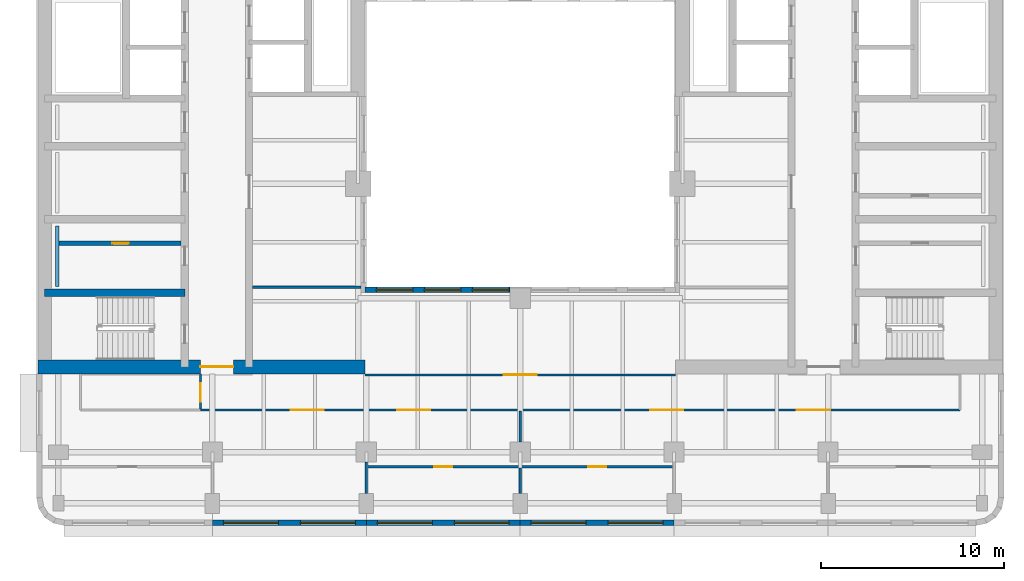
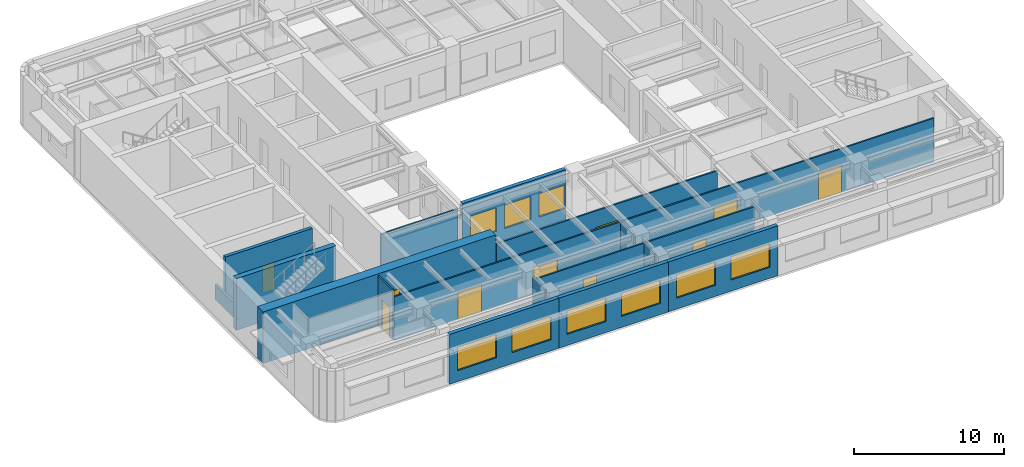
# One storey, part 3 of 11: 16 walls, 10 doors, 9 windows, 19 openings.
"""IFC4 building model written with IfcOpenShell, lengths in metres."""

from ifc_helpers import new_model, si_unit, direction, frame, frame_2d, origin, place, context, subcontext, project, spatial, rectangle, extrude, material, layer, layer_set, type_object, element, fill, save


model = new_model("IFC4")

# Units and contexts
model_context = context("Model", 3, precision=1e-05, world=origin(), true_north=direction((0.0, 1.0)))
body_context = subcontext(model_context, "Body", "Model", "MODEL_VIEW")
ifc_project = project(units=[si_unit("LENGTHUNIT", "METRE"), si_unit("AREAUNIT", "SQUARE_METRE"), si_unit("VOLUMEUNIT", "CUBIC_METRE"), si_unit("PLANEANGLEUNIT", "RADIAN"), si_unit("MASSUNIT", "GRAM", prefix="KILO")], contexts=[model_context])

# Site, building, storey
site_placement = place(None, origin())
site = spatial("IfcSite", under=ifc_project, at=site_placement, CompositionType="ELEMENT")
building_placement = place(site_placement, origin())
building = spatial("IfcBuilding", under=site, at=building_placement, Name="Claustro Exchange Tower", CompositionType="ELEMENT")
storey_placement = place(building_placement, frame((0.0, 0.0, 194.39990234375)))
storey = spatial("IfcBuildingStorey", under=building, at=storey_placement, Name="L44", CompositionType="ELEMENT", Elevation=194.39990234375)

# Wall
ifc_material_1 = material(Name="Laminated glass in aluminium frame", Category="aluminium")
ifc_layer_1 = layer(ifc_material_1, 0.1201171875)
ifc_layer_set_1 = layer_set([ifc_layer_1], Name="Laminated glass in aluminium frame")
wall_type_1 = type_object("IfcWallType", Name="P2 120 glazed partition", PredefinedType="PARTITIONING", material=ifc_layer_set_1)
wall_1_placement = place(storey_placement, frame((10.597900390625, 17.39990234375, 0.0), z_axis=(0.0, 0.0, 1.0), x_axis=(1.0, 0.0, 0.0)))
element("IfcWall", 1, at=wall_1_placement, inside=storey, type_object=wall_type_1, Name="Partition P2 L44", PredefinedType="PARTITIONING", context=body_context, shape_type="SweptSolid", body=[
    extrude(rectangle(XDim=5.904052734375, YDim=0.1201171875, at=frame_2d((2.9521484375, 0.0))), origin(), (0.0, 0.0, 1.0), 3.550048828125),
])

# Wall, openings, doors
wall_2_placement = place(storey_placement, frame((16.800048828125, 7.60009765625, 0.0), z_axis=(0.0, 0.0, 1.0), x_axis=(1.0, 0.0, 0.0)))
wall_2 = element("IfcWall", 2, at=wall_2_placement, inside=storey, type_object=wall_type_1, Name="Partition P2 L44", PredefinedType="PARTITIONING", context=body_context, shape_type="SweptSolid", body=[
    extrude(rectangle(XDim=16.800048828125, YDim=0.1201171875, at=frame_2d((8.39990234375, 0.0))), origin(), (0.0, 0.0, 1.0), 3.690185546875),
])
opening_1_placement = place(wall_2_placement, frame((3.699951171875, 0.0, 0.0)))
opening_1 = element("IfcOpeningElement", 3, at=opening_1_placement, cuts=wall_2, Name="Opening D7", PredefinedType="OPENING", context=body_context, shape_type="SweptSolid", body=[
    extrude(rectangle(XDim=1.0, YDim=2.39990234375, at=frame_2d((0.5, 1.199951171875))), frame((0.0, 0.070068359375, 0.0), z_axis=(0.0, -1.0, 0.0), x_axis=(1.0, 0.0, 0.0)), (0.0, 0.0, 1.0), 0.14013671875),
])
opening_2_placement = place(wall_2_placement, frame((12.10009765625, 0.0, 0.0)))
opening_2 = element("IfcOpeningElement", 4, at=opening_2_placement, cuts=wall_2, Name="Opening D7", PredefinedType="OPENING", context=body_context, shape_type="SweptSolid", body=[
    extrude(rectangle(XDim=1.0, YDim=2.39990234375, at=frame_2d((0.5, 1.199951171875))), frame((0.0, 0.070068359375, 0.0), z_axis=(0.0, -1.0, 0.0), x_axis=(1.0, 0.0, 0.0)), (0.0, 0.0, 1.0), 0.14013671875),
])
ifc_material_2 = material(Name="Glass door in aluminium frame", Category="aluminium")
door_type_1 = type_object("IfcDoorType", Name="D7 1000 x 2400 glazed door", OperationType="SINGLE_SWING_LEFT", PredefinedType="DOOR", material=ifc_material_2)
door_1_placement = place(opening_1_placement, frame((1.0, 0.0, 0.0), z_axis=(0.0, 0.0, 1.0), x_axis=(-1.0, 0.0, 0.0)))
door_1 = element("IfcDoor", 5, at=door_1_placement, inside=storey, type_object=door_type_1, Name="Door D7 L44", OperationType="SINGLE_SWING_LEFT", OverallHeight=2.39990234375, OverallWidth=1.0, PredefinedType="DOOR", context=body_context, shape_type="SweptSolid", body=[
    extrude(rectangle(XDim=1.0, YDim=2.39990234375, at=frame_2d((0.5, 1.199951171875))), frame((0.0, 0.02490234375, 0.0), z_axis=(0.0, -1.0, 0.0), x_axis=(1.0, 0.0, 0.0)), (0.0, 0.0, 1.0), 0.050048828125),
])
fill(opening_1, door_1)
door_2_placement = place(opening_2_placement, frame((1.0, 0.0, 0.0), z_axis=(0.0, 0.0, 1.0), x_axis=(-1.0, 0.0, 0.0)))
door_2 = element("IfcDoor", 6, at=door_2_placement, inside=storey, type_object=door_type_1, Name="Door D7 L44", OperationType="SINGLE_SWING_RIGHT", OverallHeight=2.39990234375, OverallWidth=1.0, PredefinedType="DOOR", context=body_context, shape_type="SweptSolid", body=[
    extrude(rectangle(XDim=1.0, YDim=2.39990234375, at=frame_2d((0.5, 1.199951171875))), frame((0.0, 0.02490234375, 0.0), z_axis=(0.0, -1.0, 0.0), x_axis=(1.0, 0.0, 0.0)), (0.0, 0.0, 1.0), 0.050048828125),
])
fill(opening_2, door_2)

# Walls
wall_3_placement = place(storey_placement, frame((16.800048828125, 6.14892578125, 0.0), z_axis=(0.0, 0.0, 1.0), x_axis=(0.0, 1.0, 0.0)))
element("IfcWall", 7, at=wall_3_placement, inside=storey, type_object=wall_type_1, Name="Partition P2 L44", PredefinedType="PARTITIONING", context=body_context, shape_type="SweptSolid", body=[
    extrude(rectangle(XDim=1.703125, YDim=0.1201171875, at=frame_2d((0.8515625, 0.0))), origin(), (0.0, 0.0, 1.0), 3.690185546875),
])
wall_4_placement = place(storey_placement, frame((25.199951171875, 6.14892578125, 0.0), z_axis=(0.0, 0.0, 1.0), x_axis=(0.0, 1.0, 0.0)))
element("IfcWall", 8, at=wall_4_placement, inside=storey, type_object=wall_type_1, Name="Partition P2 L44", PredefinedType="PARTITIONING", context=body_context, shape_type="SweptSolid", body=[
    extrude(rectangle(XDim=1.39306640625, YDim=0.1201171875, at=frame_2d((0.696533203125, 0.0))), origin(), (0.0, 0.0, 1.0), 3.690185546875),
])
wall_5_placement = place(storey_placement, frame((25.199951171875, 8.948974609375, 0.0), z_axis=(0.0, 0.0, 1.0), x_axis=(0.0, 1.0, 0.0)))
element("IfcWall", 9, at=wall_5_placement, inside=storey, type_object=wall_type_1, Name="Partition P2 L44", PredefinedType="PARTITIONING", context=body_context, shape_type="SweptSolid", body=[
    extrude(rectangle(XDim=1.693115234375, YDim=0.1201171875, at=frame_2d((0.8466796875, 0.0))), origin(), (0.0, 0.0, 1.0), 3.550048828125),
])

# Wall, openings, doors
wall_6_placement = place(storey_placement, frame((7.748046875, 10.699951171875, 0.0), z_axis=(0.0, 0.0, 1.0), x_axis=(1.0, 0.0, 0.0)))
wall_6 = element("IfcWall", 10, at=wall_6_placement, inside=storey, type_object=wall_type_1, Name="Partition P2 L44", PredefinedType="PARTITIONING", context=body_context, shape_type="SweptSolid", body=[
    extrude(rectangle(XDim=41.451904296875, YDim=0.1201171875, at=frame_2d((20.72607421875, 0.0))), origin(), (0.0, 0.0, 1.0), 3.550048828125),
])
opening_3_placement = place(wall_6_placement, frame((4.918701171875, 0.0, 0.0)))
opening_3 = element("IfcOpeningElement", 11, at=opening_3_placement, cuts=wall_6, Name="Opening D2", PredefinedType="OPENING", context=body_context, shape_type="SweptSolid", body=[
    extrude(rectangle(XDim=1.800048828125, YDim=2.199951171875, at=frame_2d((0.89990234375, 1.10009765625))), frame((0.0, 0.070068359375, 0.0), z_axis=(0.0, -1.0, 0.0), x_axis=(1.0, 0.0, 0.0)), (0.0, 0.0, 1.0), 0.14013671875),
])
opening_4_placement = place(wall_6_placement, frame((10.7353515625, 0.0, 0.0)))
opening_4 = element("IfcOpeningElement", 12, at=opening_4_placement, cuts=wall_6, Name="Opening D2", PredefinedType="OPENING", context=body_context, shape_type="SweptSolid", body=[
    extrude(rectangle(XDim=1.800048828125, YDim=2.199951171875, at=frame_2d((0.89990234375, 1.10009765625))), frame((0.0, 0.070068359375, 0.0), z_axis=(0.0, -1.0, 0.0), x_axis=(1.0, 0.0, 0.0)), (0.0, 0.0, 1.0), 0.14013671875),
])
opening_5_placement = place(wall_6_placement, frame((24.552001953125, 0.0, 0.0)))
opening_5 = element("IfcOpeningElement", 13, at=opening_5_placement, cuts=wall_6, Name="Opening D2", PredefinedType="OPENING", context=body_context, shape_type="SweptSolid", body=[
    extrude(rectangle(XDim=1.800048828125, YDim=2.199951171875, at=frame_2d((0.89990234375, 1.10009765625))), frame((0.0, 0.070068359375, 0.0), z_axis=(0.0, -1.0, 0.0), x_axis=(1.0, 0.0, 0.0)), (0.0, 0.0, 1.0), 0.14013671875),
])
opening_6_placement = place(wall_6_placement, frame((32.552001953125, 0.0, 0.0)))
opening_6 = element("IfcOpeningElement", 14, at=opening_6_placement, cuts=wall_6, Name="Opening D2", PredefinedType="OPENING", context=body_context, shape_type="SweptSolid", body=[
    extrude(rectangle(XDim=1.800048828125, YDim=2.199951171875, at=frame_2d((0.89990234375, 1.10009765625))), frame((0.0, 0.070068359375, 0.0), z_axis=(0.0, -1.0, 0.0), x_axis=(1.0, 0.0, 0.0)), (0.0, 0.0, 1.0), 0.14013671875),
])
ifc_material_3 = material(Name="Timber door, oak veneer", Category="wood")
door_type_2 = type_object("IfcDoorType", Name="D2 1800 x 2200 double door", OperationType="DOUBLE_DOOR_SINGLE_SWING", PredefinedType="DOOR", material=ifc_material_3)
door_3_placement = place(opening_3_placement, frame((1.800048828125, 0.0, 0.0), z_axis=(0.0, 0.0, 1.0), x_axis=(-1.0, 0.0, 0.0)))
door_3 = element("IfcDoor", 15, at=door_3_placement, inside=storey, type_object=door_type_2, Name="Double door D2 L44", OperationType="DOUBLE_DOOR_SINGLE_SWING", OverallHeight=2.199951171875, OverallWidth=1.800048828125, PredefinedType="DOOR", context=body_context, shape_type="SweptSolid", body=[
    extrude(rectangle(XDim=1.800048828125, YDim=2.199951171875, at=frame_2d((0.89990234375, 1.10009765625))), frame((0.0, 0.02490234375, 0.0), z_axis=(0.0, -1.0, 0.0), x_axis=(1.0, 0.0, 0.0)), (0.0, 0.0, 1.0), 0.050048828125),
])
fill(opening_3, door_3)
door_4_placement = place(opening_4_placement, frame((1.800048828125, 0.0, 0.0), z_axis=(0.0, 0.0, 1.0), x_axis=(-1.0, 0.0, 0.0)))
door_4 = element("IfcDoor", 16, at=door_4_placement, inside=storey, type_object=door_type_2, Name="Double door D2 L44", OperationType="DOUBLE_DOOR_SINGLE_SWING", OverallHeight=2.199951171875, OverallWidth=1.800048828125, PredefinedType="DOOR", context=body_context, shape_type="SweptSolid", body=[
    extrude(rectangle(XDim=1.800048828125, YDim=2.199951171875, at=frame_2d((0.89990234375, 1.10009765625))), frame((0.0, 0.02490234375, 0.0), z_axis=(0.0, -1.0, 0.0), x_axis=(1.0, 0.0, 0.0)), (0.0, 0.0, 1.0), 0.050048828125),
])
fill(opening_4, door_4)
door_5_placement = place(opening_5_placement, frame((1.800048828125, 0.0, 0.0), z_axis=(0.0, 0.0, 1.0), x_axis=(-1.0, 0.0, 0.0)))
door_5 = element("IfcDoor", 17, at=door_5_placement, inside=storey, type_object=door_type_2, Name="Double door D2 L44", OperationType="DOUBLE_DOOR_SINGLE_SWING", OverallHeight=2.199951171875, OverallWidth=1.800048828125, PredefinedType="DOOR", context=body_context, shape_type="SweptSolid", body=[
    extrude(rectangle(XDim=1.800048828125, YDim=2.199951171875, at=frame_2d((0.89990234375, 1.10009765625))), frame((0.0, 0.02490234375, 0.0), z_axis=(0.0, -1.0, 0.0), x_axis=(1.0, 0.0, 0.0)), (0.0, 0.0, 1.0), 0.050048828125),
])
fill(opening_5, door_5)
door_6_placement = place(opening_6_placement, frame((1.800048828125, 0.0, 0.0), z_axis=(0.0, 0.0, 1.0), x_axis=(-1.0, 0.0, 0.0)))
door_6 = element("IfcDoor", 18, at=door_6_placement, inside=storey, type_object=door_type_2, Name="Double door D2 L44", OperationType="DOUBLE_DOOR_SINGLE_SWING", OverallHeight=2.199951171875, OverallWidth=1.800048828125, PredefinedType="DOOR", context=body_context, shape_type="SweptSolid", body=[
    extrude(rectangle(XDim=1.800048828125, YDim=2.199951171875, at=frame_2d((0.89990234375, 1.10009765625))), frame((0.0, 0.02490234375, 0.0), z_axis=(0.0, -1.0, 0.0), x_axis=(1.0, 0.0, 0.0)), (0.0, 0.0, 1.0), 0.050048828125),
])
fill(opening_6, door_6)

# Wall, opening, door
wall_7_placement = place(storey_placement, frame((7.75, 10.758056640625, 0.0), z_axis=(0.0, 0.0, 1.0), x_axis=(0.0, 1.0, 0.0)))
wall_7 = element("IfcWall", 19, at=wall_7_placement, inside=storey, type_object=wall_type_1, Name="Partition P2 L44", PredefinedType="PARTITIONING", context=body_context, shape_type="SweptSolid", body=[
    extrude(rectangle(XDim=1.91796875, YDim=0.1201171875, at=frame_2d((0.958984375, 0.0))), origin(), (0.0, 0.0, 1.0), 4.050048828125),
])
opening_7_placement = place(wall_7_placement, frame((0.39208984375, 0.0, 0.0)))
opening_7 = element("IfcOpeningElement", 20, at=opening_7_placement, cuts=wall_7, Name="Opening D7", PredefinedType="OPENING", context=body_context, shape_type="SweptSolid", body=[
    extrude(rectangle(XDim=1.0, YDim=2.39990234375, at=frame_2d((0.5, 1.199951171875))), frame((0.0, 0.070068359375, 0.0), z_axis=(0.0, -1.0, 0.0), x_axis=(1.0, 0.0, 0.0)), (0.0, 0.0, 1.0), 0.14013671875),
])
door_7_placement = place(opening_7_placement, origin())
door_7 = element("IfcDoor", 21, at=door_7_placement, inside=storey, type_object=door_type_1, Name="Door D7 L44", OperationType="SINGLE_SWING_LEFT", OverallHeight=2.39990234375, OverallWidth=1.0, PredefinedType="DOOR", context=body_context, shape_type="SweptSolid", body=[
    extrude(rectangle(XDim=1.0, YDim=2.39990234375, at=frame_2d((0.5, 1.199951171875))), frame((0.0, 0.02490234375, 0.0), z_axis=(0.0, -1.0, 0.0), x_axis=(1.0, 0.0, 0.0)), (0.0, 0.0, 1.0), 0.050048828125),
])
fill(opening_7, door_7)

wall_8_placement = place(storey_placement, frame((16.72509765625, 12.614990234375, 0.0), z_axis=(0.0, 0.0, 1.0), x_axis=(1.0, 0.0, 0.0)))
wall_8 = element("IfcWall", 22, at=wall_8_placement, inside=storey, type_object=wall_type_1, Name="Partition P2 L44", PredefinedType="PARTITIONING", context=body_context, shape_type="SweptSolid", body=[
    extrude(rectangle(XDim=16.949951171875, YDim=0.1201171875, at=frame_2d((8.47509765625, 0.0))), origin(), (0.0, 0.0, 1.0), 3.550048828125),
])
opening_8_placement = place(wall_8_placement, frame((7.574951171875, 0.0, 0.0)))
opening_8 = element("IfcOpeningElement", 23, at=opening_8_placement, cuts=wall_8, Name="Opening D2", PredefinedType="OPENING", context=body_context, shape_type="SweptSolid", body=[
    extrude(rectangle(XDim=1.800048828125, YDim=2.199951171875, at=frame_2d((0.89990234375, 1.10009765625))), frame((0.0, 0.070068359375, 0.0), z_axis=(0.0, -1.0, 0.0), x_axis=(1.0, 0.0, 0.0)), (0.0, 0.0, 1.0), 0.14013671875),
])
door_8_placement = place(opening_8_placement, origin())
door_8 = element("IfcDoor", 24, at=door_8_placement, inside=storey, type_object=door_type_2, Name="Double door D2 L44", OperationType="DOUBLE_DOOR_SINGLE_SWING", OverallHeight=2.199951171875, OverallWidth=1.800048828125, PredefinedType="DOOR", context=body_context, shape_type="SweptSolid", body=[
    extrude(rectangle(XDim=1.800048828125, YDim=2.199951171875, at=frame_2d((0.89990234375, 1.10009765625))), frame((0.0, 0.02490234375, 0.0), z_axis=(0.0, -1.0, 0.0), x_axis=(1.0, 0.0, 0.0)), (0.0, 0.0, 1.0), 0.050048828125),
])
fill(opening_8, door_8)

ifc_material_4 = material(Name="Concrete blockwork, rendered", Category="masonry")
ifc_layer_2 = layer(ifc_material_4, 0.25)
ifc_layer_set_2 = layer_set([ifc_layer_2], Name="Concrete blockwork, rendered")
wall_type_2 = type_object("IfcWallType", Name="P4 250 blockwork wall", PredefinedType="PARTITIONING", material=ifc_layer_set_2)
wall_9_placement = place(storey_placement, frame((0.02490234375, 19.800048828125, 0.0), z_axis=(0.0, 0.0, 1.0), x_axis=(1.0, 0.0, 0.0)))
wall_9 = element("IfcWall", 25, at=wall_9_placement, inside=storey, type_object=wall_type_2, Name="Partition P4 L44", PredefinedType="PARTITIONING", context=body_context, shape_type="SweptSolid", body=[
    extrude(rectangle(XDim=6.675048828125, YDim=0.25, at=frame_2d((3.33740234375, 0.0))), origin(), (0.0, 0.0, 1.0), 4.0),
])
opening_9_placement = place(wall_9_placement, frame((2.91259765625, 0.0, 0.0)))
opening_9 = element("IfcOpeningElement", 26, at=opening_9_placement, cuts=wall_9, Name="Opening D5", PredefinedType="OPENING", context=body_context, shape_type="SweptSolid", body=[
    extrude(rectangle(XDim=0.89990234375, YDim=2.199951171875, at=frame_2d((0.449951171875, 1.10009765625))), frame((0.0, 0.135009765625, 0.0), z_axis=(0.0, -1.0, 0.0), x_axis=(1.0, 0.0, 0.0)), (0.0, 0.0, 1.0), 0.27001953125),
])
ifc_material_5 = material(Name="Steel door, painted", Category="steel")
door_type_3 = type_object("IfcDoorType", Name="D5 900 x 2200 store door", OperationType="SINGLE_SWING_LEFT", PredefinedType="DOOR", material=ifc_material_5)
door_9_placement = place(opening_9_placement, origin())
door_9 = element("IfcDoor", 27, at=door_9_placement, inside=storey, type_object=door_type_3, Name="Store door D5 L44", OperationType="SINGLE_SWING_RIGHT", OverallHeight=2.199951171875, OverallWidth=0.89990234375, PredefinedType="DOOR", context=body_context, shape_type="SweptSolid", body=[
    extrude(rectangle(XDim=0.89990234375, YDim=2.199951171875, at=frame_2d((0.449951171875, 1.10009765625))), frame((0.0, 0.02490234375, 0.0), z_axis=(0.0, -1.0, 0.0), x_axis=(1.0, 0.0, 0.0)), (0.0, 0.0, 1.0), 0.050048828125),
])
fill(opening_9, door_9)

# Wall, openings, windows
ifc_material_6 = material(Name="Concrete HA-40 (C40/50), precast, white cement, acid-etched", Category="concrete")
ifc_layer_3 = layer(ifc_material_6, 0.300048828125)
ifc_layer_set_3 = layer_set([ifc_layer_3], Name="Concrete HA-40 (C40/50), precast, white cement, acid-etched")
wall_type_3 = type_object("IfcWallType", Name="PC1 300 precast concrete pier panel", PredefinedType="SOLIDWALL", material=ifc_layer_set_3)
wall_10_placement = place(storey_placement, frame((33.60009765625, 4.550048828125, 0.0), z_axis=(0.0, 0.0, 1.0), x_axis=(-1.0, 0.0, 0.0)))
wall_10 = element("IfcWall", 28, at=wall_10_placement, inside=storey, type_object=wall_type_3, Name="Precast pier panel PC1 L44", PredefinedType="SOLIDWALL", context=body_context, shape_type="SweptSolid", body=[
    extrude(rectangle(XDim=8.400146484375, YDim=0.300048828125, at=frame_2d((4.2001953125, 0.0))), origin(), (0.0, 0.0, 1.0), 4.050048828125),
])
opening_10_placement = place(wall_10_placement, frame((0.60009765625, 0.0, 0.89990234375)))
opening_10 = element("IfcOpeningElement", 29, at=opening_10_placement, cuts=wall_10, Name="Opening W1", PredefinedType="OPENING", context=body_context, shape_type="SweptSolid", body=[
    extrude(rectangle(XDim=3.0, YDim=1.89990234375, at=frame_2d((1.5, 0.949951171875))), frame((0.0, 0.159912109375, 0.0), z_axis=(0.0, -1.0, 0.0), x_axis=(1.0, 0.0, 0.0)), (0.0, 0.0, 1.0), 0.320068359375),
])
opening_11_placement = place(wall_10_placement, frame((4.800048828125, 0.0, 0.89990234375)))
opening_11 = element("IfcOpeningElement", 30, at=opening_11_placement, cuts=wall_10, Name="Opening W1", PredefinedType="OPENING", context=body_context, shape_type="SweptSolid", body=[
    extrude(rectangle(XDim=3.0, YDim=1.89990234375, at=frame_2d((1.5, 0.949951171875))), frame((0.0, 0.159912109375, 0.0), z_axis=(0.0, -1.0, 0.0), x_axis=(1.0, 0.0, 0.0)), (0.0, 0.0, 1.0), 0.320068359375),
])
ifc_material_7 = material(Name="Aluminium frame, clear double glazing", Category="aluminium")
window_type_1 = type_object("IfcWindowType", Name="W1 3000 x 1900 window", PartitioningType="SINGLE_PANEL", PredefinedType="WINDOW", material=ifc_material_7)
window_1_placement = place(opening_10_placement, origin())
window_1 = element("IfcWindow", 31, at=window_1_placement, inside=storey, type_object=window_type_1, Name="Window W1 L44", OverallHeight=1.89990234375, OverallWidth=3.0, PartitioningType="SINGLE_PANEL", PredefinedType="WINDOW", context=body_context, shape_type="SweptSolid", body=[
    extrude(rectangle(XDim=3.0, YDim=1.89990234375, at=frame_2d((1.5, 0.949951171875))), frame((0.0, 0.030029296875, 0.0), z_axis=(0.0, -1.0, 0.0), x_axis=(1.0, 0.0, 0.0)), (0.0, 0.0, 1.0), 0.06005859375),
])
fill(opening_10, window_1)
window_2_placement = place(opening_11_placement, origin())
window_2 = element("IfcWindow", 32, at=window_2_placement, inside=storey, type_object=window_type_1, Name="Window W1 L44", OverallHeight=1.89990234375, OverallWidth=3.0, PartitioningType="SINGLE_PANEL", PredefinedType="WINDOW", context=body_context, shape_type="SweptSolid", body=[
    extrude(rectangle(XDim=3.0, YDim=1.89990234375, at=frame_2d((1.5, 0.949951171875))), frame((0.0, 0.030029296875, 0.0), z_axis=(0.0, -1.0, 0.0), x_axis=(1.0, 0.0, 0.0)), (0.0, 0.0, 1.0), 0.06005859375),
])
fill(opening_11, window_2)

wall_11_placement = place(storey_placement, frame((25.199951171875, 4.550048828125, 0.0), z_axis=(0.0, 0.0, 1.0), x_axis=(-1.0, 0.0, 0.0)))
wall_11 = element("IfcWall", 33, at=wall_11_placement, inside=storey, type_object=wall_type_3, Name="Precast pier panel PC1 L44", PredefinedType="SOLIDWALL", context=body_context, shape_type="SweptSolid", body=[
    extrude(rectangle(XDim=8.39990234375, YDim=0.300048828125, at=frame_2d((4.199951171875, 0.0))), origin(), (0.0, 0.0, 1.0), 4.050048828125),
])
opening_12_placement = place(wall_11_placement, frame((0.60009765625, 0.0, 0.89990234375)))
opening_12 = element("IfcOpeningElement", 34, at=opening_12_placement, cuts=wall_11, Name="Opening W1", PredefinedType="OPENING", context=body_context, shape_type="SweptSolid", body=[
    extrude(rectangle(XDim=3.0, YDim=1.89990234375, at=frame_2d((1.5, 0.949951171875))), frame((0.0, 0.159912109375, 0.0), z_axis=(0.0, -1.0, 0.0), x_axis=(1.0, 0.0, 0.0)), (0.0, 0.0, 1.0), 0.320068359375),
])
opening_13_placement = place(wall_11_placement, frame((4.800048828125, 0.0, 0.89990234375)))
opening_13 = element("IfcOpeningElement", 35, at=opening_13_placement, cuts=wall_11, Name="Opening W1", PredefinedType="OPENING", context=body_context, shape_type="SweptSolid", body=[
    extrude(rectangle(XDim=3.0, YDim=1.89990234375, at=frame_2d((1.5, 0.949951171875))), frame((0.0, 0.159912109375, 0.0), z_axis=(0.0, -1.0, 0.0), x_axis=(1.0, 0.0, 0.0)), (0.0, 0.0, 1.0), 0.320068359375),
])
window_3_placement = place(opening_12_placement, origin())
window_3 = element("IfcWindow", 36, at=window_3_placement, inside=storey, type_object=window_type_1, Name="Window W1 L44", OverallHeight=1.89990234375, OverallWidth=3.0, PartitioningType="SINGLE_PANEL", PredefinedType="WINDOW", context=body_context, shape_type="SweptSolid", body=[
    extrude(rectangle(XDim=3.0, YDim=1.89990234375, at=frame_2d((1.5, 0.949951171875))), frame((0.0, 0.030029296875, 0.0), z_axis=(0.0, -1.0, 0.0), x_axis=(1.0, 0.0, 0.0)), (0.0, 0.0, 1.0), 0.06005859375),
])
fill(opening_12, window_3)
window_4_placement = place(opening_13_placement, origin())
window_4 = element("IfcWindow", 37, at=window_4_placement, inside=storey, type_object=window_type_1, Name="Window W1 L44", OverallHeight=1.89990234375, OverallWidth=3.0, PartitioningType="SINGLE_PANEL", PredefinedType="WINDOW", context=body_context, shape_type="SweptSolid", body=[
    extrude(rectangle(XDim=3.0, YDim=1.89990234375, at=frame_2d((1.5, 0.949951171875))), frame((0.0, 0.030029296875, 0.0), z_axis=(0.0, -1.0, 0.0), x_axis=(1.0, 0.0, 0.0)), (0.0, 0.0, 1.0), 0.06005859375),
])
fill(opening_13, window_4)

wall_12_placement = place(storey_placement, frame((16.800048828125, 4.550048828125, 0.0), z_axis=(0.0, 0.0, 1.0), x_axis=(-1.0, 0.0, 0.0)))
wall_12 = element("IfcWall", 38, at=wall_12_placement, inside=storey, type_object=wall_type_3, Name="Precast pier panel PC1 L44", PredefinedType="SOLIDWALL", context=body_context, shape_type="SweptSolid", body=[
    extrude(rectangle(XDim=8.400146484375, YDim=0.300048828125, at=frame_2d((4.2001953125, 0.0))), origin(), (0.0, 0.0, 1.0), 4.050048828125),
])
opening_14_placement = place(wall_12_placement, frame((0.60009765625, 0.0, 0.89990234375)))
opening_14 = element("IfcOpeningElement", 39, at=opening_14_placement, cuts=wall_12, Name="Opening W1", PredefinedType="OPENING", context=body_context, shape_type="SweptSolid", body=[
    extrude(rectangle(XDim=3.0, YDim=1.89990234375, at=frame_2d((1.5, 0.949951171875))), frame((0.0, 0.159912109375, 0.0), z_axis=(0.0, -1.0, 0.0), x_axis=(1.0, 0.0, 0.0)), (0.0, 0.0, 1.0), 0.320068359375),
])
opening_15_placement = place(wall_12_placement, frame((4.800048828125, 0.0, 0.89990234375)))
opening_15 = element("IfcOpeningElement", 40, at=opening_15_placement, cuts=wall_12, Name="Opening W1", PredefinedType="OPENING", context=body_context, shape_type="SweptSolid", body=[
    extrude(rectangle(XDim=3.0, YDim=1.89990234375, at=frame_2d((1.5, 0.949951171875))), frame((0.0, 0.159912109375, 0.0), z_axis=(0.0, -1.0, 0.0), x_axis=(1.0, 0.0, 0.0)), (0.0, 0.0, 1.0), 0.320068359375),
])
window_5_placement = place(opening_14_placement, origin())
window_5 = element("IfcWindow", 41, at=window_5_placement, inside=storey, type_object=window_type_1, Name="Window W1 L44", OverallHeight=1.89990234375, OverallWidth=3.0, PartitioningType="SINGLE_PANEL", PredefinedType="WINDOW", context=body_context, shape_type="SweptSolid", body=[
    extrude(rectangle(XDim=3.0, YDim=1.89990234375, at=frame_2d((1.5, 0.949951171875))), frame((0.0, 0.030029296875, 0.0), z_axis=(0.0, -1.0, 0.0), x_axis=(1.0, 0.0, 0.0)), (0.0, 0.0, 1.0), 0.06005859375),
])
fill(opening_14, window_5)
window_6_placement = place(opening_15_placement, origin())
window_6 = element("IfcWindow", 42, at=window_6_placement, inside=storey, type_object=window_type_1, Name="Window W1 L44", OverallHeight=1.89990234375, OverallWidth=3.0, PartitioningType="SINGLE_PANEL", PredefinedType="WINDOW", context=body_context, shape_type="SweptSolid", body=[
    extrude(rectangle(XDim=3.0, YDim=1.89990234375, at=frame_2d((1.5, 0.949951171875))), frame((0.0, 0.030029296875, 0.0), z_axis=(0.0, -1.0, 0.0), x_axis=(1.0, 0.0, 0.0)), (0.0, 0.0, 1.0), 0.06005859375),
])
fill(opening_15, window_6)

wall_13_placement = place(storey_placement, frame((16.72509765625, 17.25, 0.0), z_axis=(0.0, 0.0, 1.0), x_axis=(1.0, 0.0, 0.0)))
wall_13 = element("IfcWall", 43, at=wall_13_placement, inside=storey, type_object=wall_type_3, Name="Precast pier panel PC1 L44", PredefinedType="SOLIDWALL", context=body_context, shape_type="SweptSolid", body=[
    extrude(rectangle(XDim=7.9248046875, YDim=0.300048828125, at=frame_2d((3.96240234375, 0.0))), origin(), (0.0, 0.0, 1.0), 4.050048828125),
])
opening_16_placement = place(wall_13_placement, frame((0.61865234375, 0.0, 0.89990234375)))
opening_16 = element("IfcOpeningElement", 44, at=opening_16_placement, cuts=wall_13, Name="Opening W4", PredefinedType="OPENING", context=body_context, shape_type="SweptSolid", body=[
    extrude(rectangle(XDim=2.0, YDim=1.89990234375, at=frame_2d((1.0, 0.949951171875))), frame((0.0, 0.159912109375, 0.0), z_axis=(0.0, -1.0, 0.0), x_axis=(1.0, 0.0, 0.0)), (0.0, 0.0, 1.0), 0.320068359375),
])
opening_17_placement = place(wall_13_placement, frame((3.237548828125, 0.0, 0.89990234375)))
opening_17 = element("IfcOpeningElement", 45, at=opening_17_placement, cuts=wall_13, Name="Opening W4", PredefinedType="OPENING", context=body_context, shape_type="SweptSolid", body=[
    extrude(rectangle(XDim=2.0, YDim=1.89990234375, at=frame_2d((1.0, 0.949951171875))), frame((0.0, 0.159912109375, 0.0), z_axis=(0.0, -1.0, 0.0), x_axis=(1.0, 0.0, 0.0)), (0.0, 0.0, 1.0), 0.320068359375),
])
opening_18_placement = place(wall_13_placement, frame((5.856201171875, 0.0, 0.89990234375)))
opening_18 = element("IfcOpeningElement", 46, at=opening_18_placement, cuts=wall_13, Name="Opening W4", PredefinedType="OPENING", context=body_context, shape_type="SweptSolid", body=[
    extrude(rectangle(XDim=2.0, YDim=1.89990234375, at=frame_2d((1.0, 0.949951171875))), frame((0.0, 0.159912109375, 0.0), z_axis=(0.0, -1.0, 0.0), x_axis=(1.0, 0.0, 0.0)), (0.0, 0.0, 1.0), 0.320068359375),
])
ifc_material_8 = material(Name="Aluminium frame, clear double glazing", Category="aluminium")
window_type_2 = type_object("IfcWindowType", Name="W4 2000 x 1900 light well window", PartitioningType="SINGLE_PANEL", PredefinedType="WINDOW", material=ifc_material_8)
window_7_placement = place(opening_16_placement, origin())
window_7 = element("IfcWindow", 47, at=window_7_placement, inside=storey, type_object=window_type_2, Name="Window W4 L44", OverallHeight=1.89990234375, OverallWidth=2.0, PartitioningType="SINGLE_PANEL", PredefinedType="WINDOW", context=body_context, shape_type="SweptSolid", body=[
    extrude(rectangle(XDim=2.0, YDim=1.89990234375, at=frame_2d((1.0, 0.949951171875))), frame((0.0, 0.030029296875, 0.0), z_axis=(0.0, -1.0, 0.0), x_axis=(1.0, 0.0, 0.0)), (0.0, 0.0, 1.0), 0.06005859375),
])
fill(opening_16, window_7)
window_8_placement = place(opening_17_placement, origin())
window_8 = element("IfcWindow", 48, at=window_8_placement, inside=storey, type_object=window_type_2, Name="Window W4 L44", OverallHeight=1.89990234375, OverallWidth=2.0, PartitioningType="SINGLE_PANEL", PredefinedType="WINDOW", context=body_context, shape_type="SweptSolid", body=[
    extrude(rectangle(XDim=2.0, YDim=1.89990234375, at=frame_2d((1.0, 0.949951171875))), frame((0.0, 0.030029296875, 0.0), z_axis=(0.0, -1.0, 0.0), x_axis=(1.0, 0.0, 0.0)), (0.0, 0.0, 1.0), 0.06005859375),
])
fill(opening_17, window_8)
window_9_placement = place(opening_18_placement, origin())
window_9 = element("IfcWindow", 49, at=window_9_placement, inside=storey, type_object=window_type_2, Name="Window W4 L44", OverallHeight=1.89990234375, OverallWidth=2.0, PartitioningType="SINGLE_PANEL", PredefinedType="WINDOW", context=body_context, shape_type="SweptSolid", body=[
    extrude(rectangle(XDim=2.0, YDim=1.89990234375, at=frame_2d((1.0, 0.949951171875))), frame((0.0, 0.030029296875, 0.0), z_axis=(0.0, -1.0, 0.0), x_axis=(1.0, 0.0, 0.0)), (0.0, 0.0, 1.0), 0.06005859375),
])
fill(opening_18, window_9)

# Wall
ifc_material_9 = material(Name="Gypsum board on steel studs, tiled", Category="steel")
ifc_layer_4 = layer(ifc_material_9, 0.199951171875)
ifc_layer_set_4 = layer_set([ifc_layer_4], Name="Gypsum board on steel studs, tiled")
wall_type_4 = type_object("IfcWallType", Name="PW1 200 WC duct wall", PredefinedType="PLUMBINGWALL", material=ifc_layer_set_4)
wall_14_placement = place(storey_placement, frame((-0.074951171875, 17.449951171875, 0.0), z_axis=(0.0, 0.0, 1.0), x_axis=(0.0, 1.0, 0.0)))
element("IfcWall", 50, at=wall_14_placement, inside=storey, type_object=wall_type_4, Name="WC duct wall PW1 L44", PredefinedType="PLUMBINGWALL", context=body_context, shape_type="SweptSolid", body=[
    extrude(rectangle(XDim=3.300048828125, YDim=0.199951171875, at=frame_2d((1.64990234375, 0.0))), origin(), (0.0, 0.0, 1.0), 1.2001953125),
])

# Wall, opening, door
ifc_material_10 = material(Name="Concrete HA-70 (C70/85)", Category="concrete")
ifc_layer_5 = layer(ifc_material_10, 0.75)
ifc_layer_set_5 = layer_set([ifc_layer_5], Name="Concrete HA-70 (C70/85)")
wall_type_5 = type_object("IfcWallType", Name="SW2 750 core shear wall", PredefinedType="SHEAR", material=ifc_layer_set_5)
wall_15_placement = place(storey_placement, frame((-1.125, 13.050048828125, 0.0), z_axis=(0.0, 0.0, 1.0), x_axis=(1.0, 0.0, 0.0)))
wall_15 = element("IfcWall", 51, at=wall_15_placement, inside=storey, type_object=wall_type_5, Name="Core wall SW2 W core S face L44", PredefinedType="SHEAR", context=body_context, shape_type="SweptSolid", body=[
    extrude(rectangle(XDim=17.85009765625, YDim=0.75, at=frame_2d((8.925048828125, 0.0))), origin(), (0.0, 0.0, 1.0), 4.2001953125),
])
opening_19_placement = place(wall_15_placement, frame((8.875, 0.0, 0.0)))
opening_19 = element("IfcOpeningElement", 52, at=opening_19_placement, cuts=wall_15, Name="Opening D3", PredefinedType="OPENING", context=body_context, shape_type="SweptSolid", body=[
    extrude(rectangle(XDim=1.800048828125, YDim=2.39990234375, at=frame_2d((0.89990234375, 1.199951171875))), frame((0.0, 0.385009765625, 0.0), z_axis=(0.0, -1.0, 0.0), x_axis=(1.0, 0.0, 0.0)), (0.0, 0.0, 1.0), 0.77001953125),
])
ifc_material_11 = material(Name="Steel fire door, painted", Category="steel")
door_type_4 = type_object("IfcDoorType", Name="D3 1800 x 2400 fire-rated lobby double door", OperationType="DOUBLE_DOOR_SINGLE_SWING", PredefinedType="DOOR", material=ifc_material_11)
door_10_placement = place(opening_19_placement, origin())
door_10 = element("IfcDoor", 53, at=door_10_placement, inside=storey, type_object=door_type_4, Name="Lift lobby door D3 L44", OperationType="DOUBLE_DOOR_SINGLE_SWING", OverallHeight=2.39990234375, OverallWidth=1.800048828125, PredefinedType="DOOR", context=body_context, shape_type="SweptSolid", body=[
    extrude(rectangle(XDim=1.800048828125, YDim=2.39990234375, at=frame_2d((0.89990234375, 1.199951171875))), frame((0.0, 0.02490234375, 0.0), z_axis=(0.0, -1.0, 0.0), x_axis=(1.0, 0.0, 0.0)), (0.0, 0.0, 1.0), 0.050048828125),
])
fill(opening_19, door_10)

# Wall
ifc_material_12 = material(Name="Concrete HA-50 (C50/60)", Category="concrete")
ifc_layer_6 = layer(ifc_material_12, 0.39990234375)
ifc_layer_set_6 = layer_set([ifc_layer_6], Name="Concrete HA-50 (C50/60)")
wall_type_6 = type_object("IfcWallType", Name="SW4 400 internal core wall", PredefinedType="SHEAR", material=ifc_layer_set_6)
wall_16_placement = place(storey_placement, frame((-0.75, 17.10009765625, 0.0), z_axis=(0.0, 0.0, 1.0), x_axis=(1.0, 0.0, 0.0)))
element("IfcWall", 54, at=wall_16_placement, inside=storey, type_object=wall_type_6, Name="Internal core wall SW4 W core L44", PredefinedType="SHEAR", context=body_context, shape_type="SweptSolid", body=[
    extrude(rectangle(XDim=7.64990234375, YDim=0.39990234375, at=frame_2d((3.824951171875, 0.0))), origin(), (0.0, 0.0, 1.0), 4.2001953125),
])

save(model, "model.ifc")
